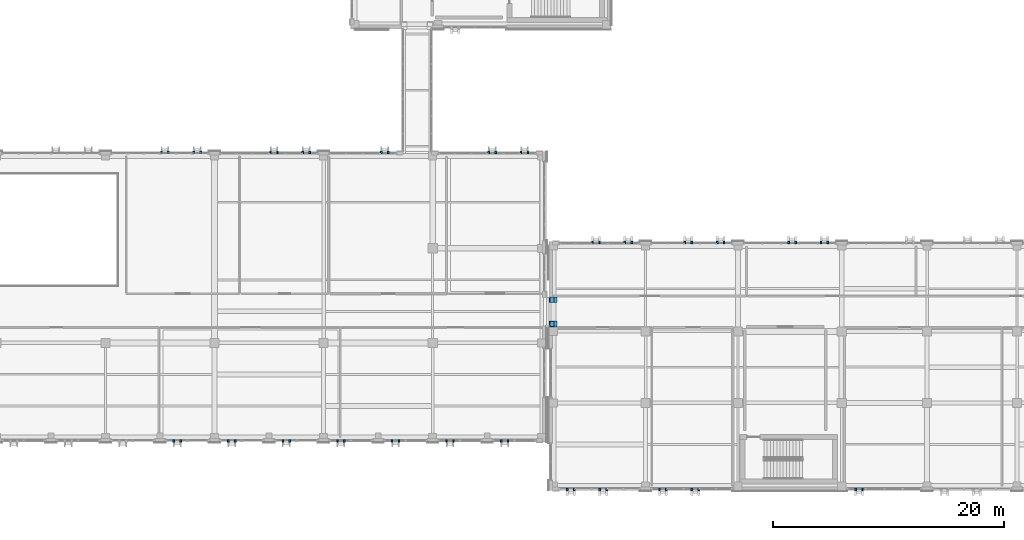
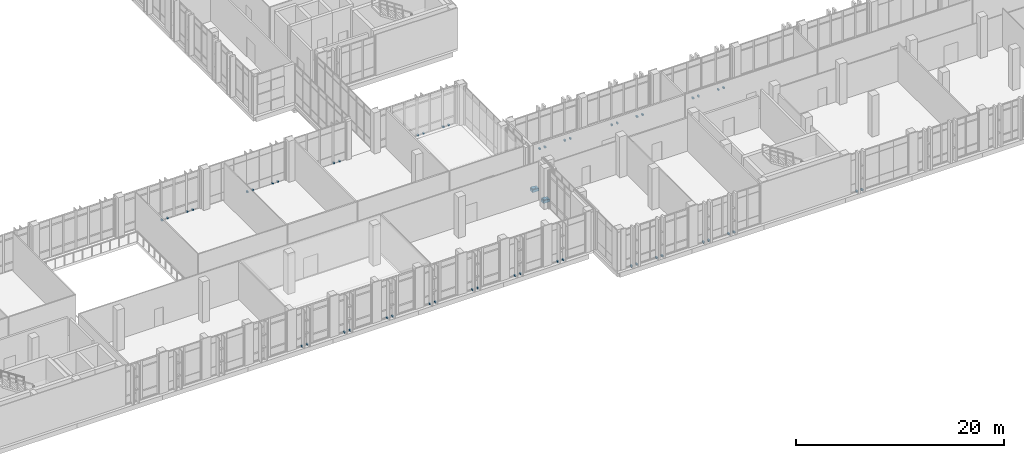
# One storey, part 163 of 189: 54 discrete accessories.
"""IFC4 building model written with IfcOpenShell, lengths in metres."""

from ifc_helpers import new_model, si_unit, direction, frame, origin, origin_2d, place, context, subcontext, project, spatial, rectangle, extrude, material, type_object, element, save


model = new_model("IFC4")

# Units and contexts
model_context = context("Model", 3, precision=1e-05, world=origin(), true_north=direction((0.0, 1.0)))
body_context = subcontext(model_context, "Body", "Model", "MODEL_VIEW")
ifc_project = project(units=[si_unit("LENGTHUNIT", "METRE"), si_unit("AREAUNIT", "SQUARE_METRE"), si_unit("VOLUMEUNIT", "CUBIC_METRE"), si_unit("PLANEANGLEUNIT", "RADIAN"), si_unit("MASSUNIT", "GRAM", prefix="KILO")], contexts=[model_context])

# Site, building, storey
site_placement = place(None, origin())
site = spatial("IfcSite", under=ifc_project, at=site_placement, CompositionType="ELEMENT")
building_placement = place(site_placement, origin())
building = spatial("IfcBuilding", under=site, at=building_placement, Name="Qalavern Law Courts", CompositionType="ELEMENT")
storey_placement = place(building_placement, frame((0.0, 0.0, 5.39990234375)))
storey = spatial("IfcBuildingStorey", under=building, at=storey_placement, Name="L01", CompositionType="ELEMENT", Elevation=5.39990234375)

# Discrete accessories
ifc_material_1 = material(Name="Steel S355", Category="steel")
discrete_accessory_type_1 = type_object("IfcDiscreteAccessoryType", Name="ENV-BRK-FIN", PredefinedType="BRACKET", material=ifc_material_1)
for number, where, z_axis, x_axis, name in (
    (1, (68.909912109375, 5.302490234375, -0.06982421875), (0.0, 0.0, 1.0), (0.0, -1.0, 0.0), "Stone blade anchor bracket 0009"),
    (2, (69.510009765625, 5.302490234375, -0.06982421875), (0.0, 0.0, 1.0), (0.0, -1.0, 0.0), "Stone blade anchor bracket 0010"),
    (3, (73.63720703125, 5.302490234375, -0.06982421875), (0.0, 0.0, 1.0), (0.0, -1.0, 0.0), "Stone blade anchor bracket 0011"),
    (4, (74.237060546875, 5.302490234375, -0.06982421875), (0.0, 0.0, 1.0), (0.0, -1.0, 0.0), "Stone blade anchor bracket 0012"),
    (5, (78.364013671875, 5.302490234375, -0.06982421875), (0.0, 0.0, 1.0), (0.0, -1.0, 0.0), "Stone blade anchor bracket 0013"),
    (6, (78.964111328125, 5.302490234375, -0.06982421875), (0.0, 0.0, 1.0), (0.0, -1.0, 0.0), "Stone blade anchor bracket 0014"),
    (7, (83.09130859375, 5.302490234375, -0.06982421875), (0.0, 0.0, 1.0), (0.0, -1.0, 0.0), "Stone blade anchor bracket 0015"),
    (8, (83.69140625, 5.302490234375, -0.06982421875), (0.0, 0.0, 1.0), (0.0, -1.0, 0.0), "Stone blade anchor bracket 0016"),
    (9, (87.819091796875, 5.302490234375, -0.06982421875), (0.0, 0.0, 1.0), (0.0, -1.0, 0.0), "Stone blade anchor bracket 0017"),
    (10, (88.4189453125, 5.302490234375, -0.06982421875), (0.0, 0.0, 1.0), (0.0, -1.0, 0.0), "Stone blade anchor bracket 0018"),
    (11, (92.545654296875, 5.302490234375, -0.06982421875), (0.0, 0.0, 1.0), (0.0, -1.0, 0.0), "Stone blade anchor bracket 0019"),
    (12, (93.145751953125, 5.302490234375, -0.06982421875), (0.0, 0.0, 1.0), (0.0, -1.0, 0.0), "Stone blade anchor bracket 0020"),
    (13, (97.27294921875, 5.302490234375, -0.06982421875), (0.0, 0.0, 1.0), (0.0, -1.0, 0.0), "Stone blade anchor bracket 0021"),
    (14, (97.873046875, 5.302490234375, -0.06982421875), (0.0, 0.0, 1.0), (0.0, -1.0, 0.0), "Stone blade anchor bracket 0022"),
    (15, (99.60009765625, 30.297607421875, -0.06982421875), (0.0, 0.0, 1.0), (0.0, 1.0, 0.0), "Stone blade anchor bracket 0023"),
    (16, (99.0, 30.297607421875, -0.06982421875), (0.0, 0.0, 1.0), (0.0, 1.0, 0.0), "Stone blade anchor bracket 0024"),
    (17, (96.800048828125, 30.297607421875, -0.06982421875), (0.0, 0.0, 1.0), (0.0, 1.0, 0.0), "Stone blade anchor bracket 0025"),
    (18, (96.199951171875, 30.297607421875, -0.06982421875), (0.0, 0.0, 1.0), (0.0, 1.0, 0.0), "Stone blade anchor bracket 0026"),
    (19, (87.5, 30.297607421875, -0.06982421875), (0.0, 0.0, 1.0), (0.0, 1.0, 0.0), "Stone blade anchor bracket 0027"),
    (20, (86.89990234375, 30.297607421875, -0.06982421875), (0.0, 0.0, 1.0), (0.0, 1.0, 0.0), "Stone blade anchor bracket 0028"),
    (21, (80.69140625, 30.297607421875, -0.06982421875), (0.0, 0.0, 1.0), (0.0, 1.0, 0.0), "Stone blade anchor bracket 0029"),
    (22, (80.09130859375, 30.297607421875, -0.06982421875), (0.0, 0.0, 1.0), (0.0, 1.0, 0.0), "Stone blade anchor bracket 0030"),
    (23, (77.891357421875, 30.297607421875, -0.06982421875), (0.0, 0.0, 1.0), (0.0, 1.0, 0.0), "Stone blade anchor bracket 0031"),
    (24, (77.29150390625, 30.297607421875, -0.06982421875), (0.0, 0.0, 1.0), (0.0, 1.0, 0.0), "Stone blade anchor bracket 0032"),
    (25, (71.237060546875, 30.297607421875, -0.06982421875), (0.0, 0.0, 1.0), (0.0, 1.0, 0.0), "Stone blade anchor bracket 0033"),
    (26, (70.63720703125, 30.297607421875, -0.06982421875), (0.0, 0.0, 1.0), (0.0, 1.0, 0.0), "Stone blade anchor bracket 0034"),
    (27, (68.43701171875, 30.297607421875, -0.06982421875), (0.0, 0.0, 1.0), (0.0, 1.0, 0.0), "Stone blade anchor bracket 0035"),
    (28, (67.837158203125, 30.297607421875, -0.06982421875), (0.0, 0.0, 1.0), (0.0, 1.0, 0.0), "Stone blade anchor bracket 0036"),
    (29, (103.02001953125, 1.1025390625, -0.06982421875), (0.0, 0.0, 1.0), (0.0, -1.0, 0.0), "Stone blade anchor bracket 1195"),
    (30, (103.6201171875, 1.1025390625, -0.06982421875), (0.0, 0.0, 1.0), (0.0, -1.0, 0.0), "Stone blade anchor bracket 1196"),
    (31, (105.820068359375, 1.1025390625, -0.06982421875), (0.0, 0.0, 1.0), (0.0, -1.0, 0.0), "Stone blade anchor bracket 1197"),
    (32, (106.419921875, 1.1025390625, -0.06982421875), (0.0, 0.0, 1.0), (0.0, -1.0, 0.0), "Stone blade anchor bracket 1198"),
    (33, (111.0, 1.1025390625, -0.06982421875), (0.0, 0.0, 1.0), (0.0, -1.0, 0.0), "Stone blade anchor bracket 1199"),
    (34, (111.60009765625, 1.1025390625, -0.06982421875), (0.0, 0.0, 1.0), (0.0, -1.0, 0.0), "Stone blade anchor bracket 1200"),
    (35, (113.800048828125, 1.1025390625, -0.06982421875), (0.0, 0.0, 1.0), (0.0, -1.0, 0.0), "Stone blade anchor bracket 1201"),
    (36, (114.39990234375, 1.1025390625, -0.06982421875), (0.0, 0.0, 1.0), (0.0, -1.0, 0.0), "Stone blade anchor bracket 1202"),
    (37, (128.0, 1.1025390625, -0.06982421875), (0.0, 0.0, 1.0), (0.0, -1.0, 0.0), "Stone blade anchor bracket 1203"),
    (38, (128.60009765625, 1.1025390625, -0.06982421875), (0.0, 0.0, 1.0), (0.0, -1.0, 0.0), "Stone blade anchor bracket 1204"),
    (39, (125.60009765625, 22.49755859375, -0.06982421875), (0.0, 0.0, 1.0), (0.0, 1.0, 0.0), "Stone blade anchor bracket 1245"),
    (40, (125.0, 22.49755859375, -0.06982421875), (0.0, 0.0, 1.0), (0.0, 1.0, 0.0), "Stone blade anchor bracket 1246"),
    (41, (122.800048828125, 22.49755859375, -0.06982421875), (0.0, 0.0, 1.0), (0.0, 1.0, 0.0), "Stone blade anchor bracket 1247"),
    (42, (122.199951171875, 22.49755859375, -0.06982421875), (0.0, 0.0, 1.0), (0.0, 1.0, 0.0), "Stone blade anchor bracket 1248"),
    (43, (116.60009765625, 22.49755859375, -0.06982421875), (0.0, 0.0, 1.0), (0.0, 1.0, 0.0), "Stone blade anchor bracket 1249"),
    (44, (116.0, 22.49755859375, -0.06982421875), (0.0, 0.0, 1.0), (0.0, 1.0, 0.0), "Stone blade anchor bracket 1250"),
    (45, (113.800048828125, 22.49755859375, -0.06982421875), (0.0, 0.0, 1.0), (0.0, 1.0, 0.0), "Stone blade anchor bracket 1251"),
    (46, (113.199951171875, 22.49755859375, -0.06982421875), (0.0, 0.0, 1.0), (0.0, 1.0, 0.0), "Stone blade anchor bracket 1252"),
    (47, (108.60009765625, 22.49755859375, -0.06982421875), (0.0, 0.0, 1.0), (0.0, 1.0, 0.0), "Stone blade anchor bracket 1253"),
    (48, (108.0, 22.49755859375, -0.06982421875), (0.0, 0.0, 1.0), (0.0, 1.0, 0.0), "Stone blade anchor bracket 1254"),
    (49, (105.800048828125, 22.49755859375, -0.06982421875), (0.0, 0.0, 1.0), (0.0, 1.0, 0.0), "Stone blade anchor bracket 1255"),
    (50, (105.199951171875, 22.49755859375, -0.06982421875), (0.0, 0.0, 1.0), (0.0, 1.0, 0.0), "Stone blade anchor bracket 1256"),
):
    element("IfcDiscreteAccessory", number, at=place(storey_placement, frame(where, z_axis=z_axis, x_axis=x_axis)), inside=storey, type_object=discrete_accessory_type_1, Name=name, PredefinedType="BRACKET", context=body_context, shape_type="SweptSolid", body=[
        extrude(rectangle(XDim=0.239990234375, YDim=0.159912109375, at=origin_2d()), origin(), (0.0, 0.0, 1.0), 0.179931640625),
    ])
ifc_material_2 = material(Name="Concrete C45/55", Category="concrete")
discrete_accessory_type_2 = type_object("IfcDiscreteAccessoryType", Name="STR-CORBEL-700", PredefinedType="BRACKET", material=ifc_material_2)
for number, where, z_axis, x_axis, name in (
    (51, (101.77001953125, 15.449951171875, -0.69970703125), (0.0, 0.0, 1.0), (1.0, 0.0, 0.0), "Bridge BR-V2-V6 700 mm corbel seat 1 L01"),
    (52, (101.77001953125, 17.550048828125, -0.69970703125), (0.0, 0.0, 1.0), (1.0, 0.0, 0.0), "Bridge BR-V2-V6 700 mm corbel seat 2 L01"),
):
    element("IfcDiscreteAccessory", number, at=place(storey_placement, frame(where, z_axis=z_axis, x_axis=x_axis)), inside=storey, type_object=discrete_accessory_type_2, Name=name, PredefinedType="BRACKET", context=body_context, shape_type="SweptSolid", body=[
        extrude(rectangle(XDim=0.699951171875, YDim=0.5, at=origin_2d()), origin(), (0.0, 0.0, 1.0), 0.320068359375),
    ])
discrete_accessory_type_3 = type_object("IfcDiscreteAccessoryType", Name="STR-SHOE-PTFE350", PredefinedType="SHOE", material=ifc_material_1)
for number, where, z_axis, x_axis, name in (
    (53, (101.669921875, 15.449951171875, -0.3798828125), (0.0, 0.0, 1.0), (1.0, 0.0, 0.0), "Seismic bridge PTFE sliding bearing 17"),
    (54, (101.669921875, 17.550048828125, -0.3798828125), (0.0, 0.0, 1.0), (1.0, 0.0, 0.0), "Seismic bridge PTFE sliding bearing 18"),
):
    element("IfcDiscreteAccessory", number, at=place(storey_placement, frame(where, z_axis=z_axis, x_axis=x_axis)), inside=storey, type_object=discrete_accessory_type_3, Name=name, PredefinedType="SHOE", context=body_context, shape_type="SweptSolid", body=[
        extrude(rectangle(XDim=0.35009765625, YDim=0.449951171875, at=origin_2d()), origin(), (0.0, 0.0, 1.0), 0.080078125),
    ])

save(model, "model.ifc")
